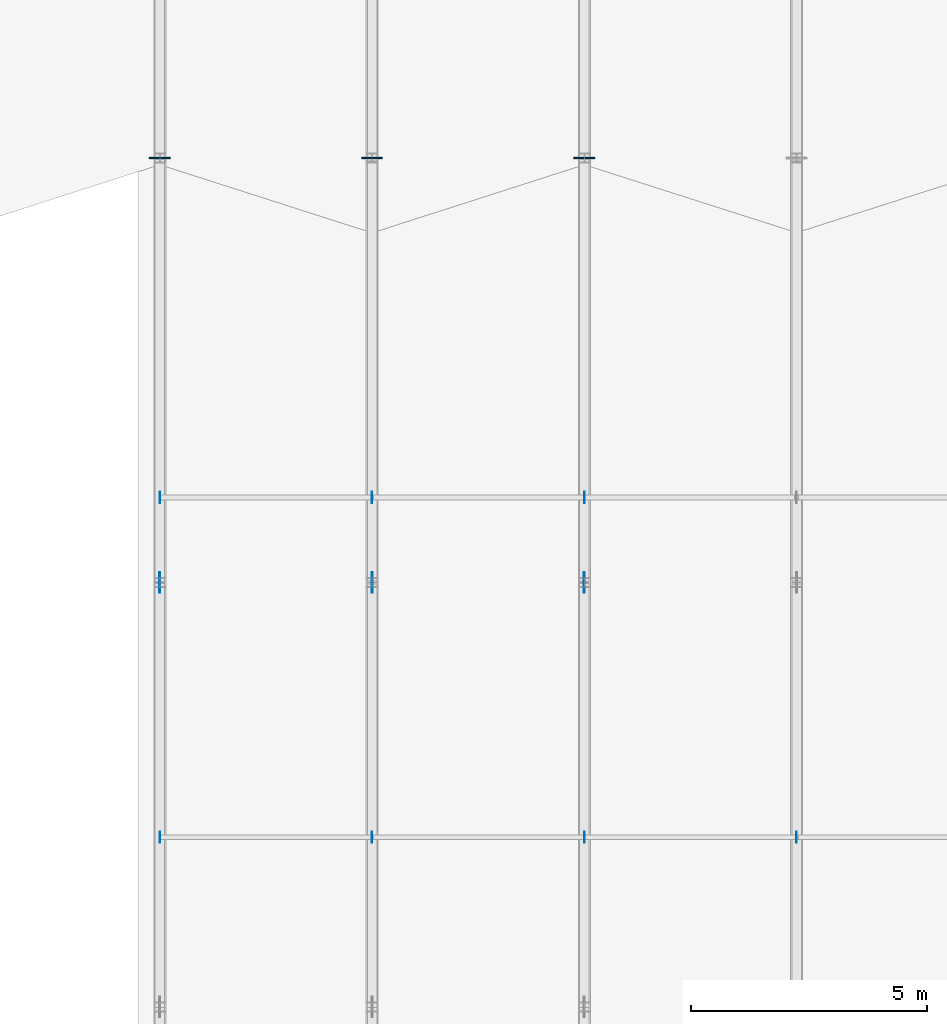
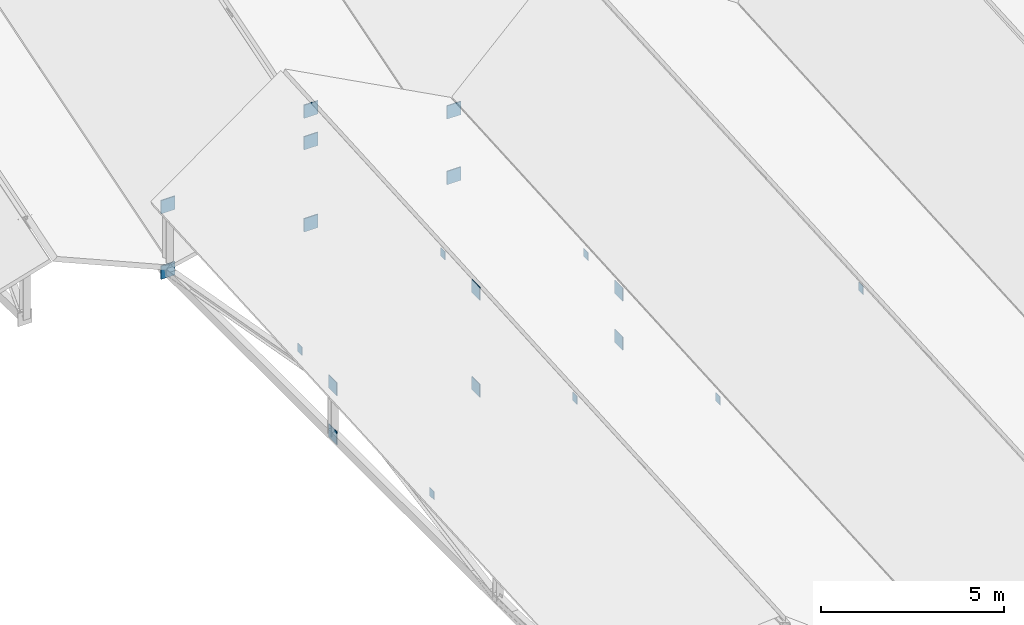
# One storey, part 120 of 142: 20 plates.
"""IFC4 building model written with IfcOpenShell, lengths in metres."""

from ifc_helpers import new_model, si_unit, direction, frame, origin, origin_2d, place, context, subcontext, project, spatial, rectangle, extrude, material, layer, layer_set, type_object, element, save


model = new_model("IFC4")

# Units and contexts
model_context = context("Model", 3, precision=1e-05, world=origin(), true_north=direction((0.0, 1.0)))
body_context = subcontext(model_context, "Body", "Model", "MODEL_VIEW")
ifc_project = project(units=[si_unit("LENGTHUNIT", "METRE"), si_unit("AREAUNIT", "SQUARE_METRE"), si_unit("VOLUMEUNIT", "CUBIC_METRE"), si_unit("PLANEANGLEUNIT", "RADIAN"), si_unit("MASSUNIT", "GRAM", prefix="KILO")], contexts=[model_context])

# Site, building, storey
site_placement = place(None, origin())
site = spatial("IfcSite", under=ifc_project, at=site_placement, CompositionType="ELEMENT")
building_placement = place(site_placement, origin())
building = spatial("IfcBuilding", under=site, at=building_placement, Name="Montelvaro Courts of Justice", CompositionType="ELEMENT")
storey_placement = place(building_placement, frame((0.0, 0.0, 14.39990234375)))
storey = spatial("IfcBuildingStorey", under=building, at=storey_placement, Name="L03", CompositionType="ELEMENT", Elevation=14.39990234375)

# Plates
ifc_material = material(Name="Steel S355", Category="steel")
ifc_layer_1 = layer(ifc_material, 0.011962890625)
ifc_layer_set_1 = layer_set([ifc_layer_1], Name="Steel S355")
plate_type_1 = type_object("IfcPlateType", Name="EndCapPlate_12", PredefinedType="USERDEFINED", material=ifc_layer_set_1)
for number, where, z_axis, x_axis, name in (
    (1, (54.0, 63.60009765625, 0.85986328125), (0.0, 0.0, 1.0), (1.0, 0.0, 0.0), "Purlin End Cap Plate CP-01 01-3L-A"),
    (2, (58.5, 63.60009765625, 2.4599609375), (0.0, 0.0, 1.0), (1.0, 0.0, 0.0), "Purlin End Cap Plate CP-01 01-3L-B"),
    (3, (63.0, 63.60009765625, 0.85986328125), (0.0, 0.0, 1.0), (1.0, 0.0, 0.0), "Purlin End Cap Plate CP-01 01-3R-B"),
    (4, (54.0, 70.800048828125, 1.30029296875), (0.0, 0.0, 1.0), (1.0, 0.0, 0.0), "Purlin End Cap Plate CP-01 01-4L-A"),
    (5, (58.5, 70.800048828125, 2.89990234375), (0.0, 0.0, 1.0), (1.0, 0.0, 0.0), "Purlin End Cap Plate CP-01 01-4L-B"),
    (6, (63.0, 70.800048828125, 1.30029296875), (0.0, 0.0, 1.0), (1.0, 0.0, 0.0), "Purlin End Cap Plate CP-01 01-4R-B"),
    (7, (67.5, 63.60009765625, 2.9599609375), (0.0, 0.0, 1.0), (1.0, 0.0, 0.0), "Purlin End Cap Plate CP-01 02-3L-B"),
):
    element("IfcPlate", number, at=place(storey_placement, frame(where, z_axis=z_axis, x_axis=x_axis)), inside=storey, type_object=plate_type_1, Name=name, ObjectType="GUSSET PLATE", PredefinedType="USERDEFINED", context=body_context, shape_type="SweptSolid", body=[
        extrude(rectangle(XDim=0.011962890625, YDim=0.239990234375, at=origin_2d()), origin(), (0.0, 0.0, 1.0), 0.280029296875),
    ])
ifc_layer_2 = layer(ifc_material, 0.035888671875)
ifc_layer_set_2 = layer_set([ifc_layer_2], Name="Steel S355")
plate_type_2 = type_object("IfcPlateType", Name="EndCapPlate_36", PredefinedType="USERDEFINED", material=ifc_layer_set_2)
for number, where, z_axis, x_axis, name in (
    (8, (54.0, 78.0, -0.519775390625), (0.0, 0.0, 1.0), (1.0, 0.0, 0.0), "Roof Truss End Cap Plate CP-02 ROOF-V1-VTR05-B0"),
    (9, (63.0, 78.0, -0.519775390625), (0.0, 0.0, 1.0), (1.0, 0.0, 0.0), "Roof Truss End Cap Plate CP-02 ROOF-V1-VTR06-B0"),
    (10, (58.5, 78.0, -0.519775390625), (0.0, 0.0, 1.0), (1.0, 0.0, 0.0), "Roof Truss End Cap Plate CP-02 ROOF-V1-RTR05-B0"),
    (11, (58.5, 78.0, 2.210205078125), (0.0, 0.0, 1.0), (1.0, 0.0, 0.0), "Roof Truss End Cap Plate CP-02 ROOF-V1-RTR05-T0"),
    (12, (54.0, 78.0, 1.66015625), (0.0, 0.0, 1.0), (1.0, 0.0, 0.0), "Roof Truss End Cap Plate CP-02 ROOF-PASSAGE-VTR01-T1"),
    (13, (63.0, 78.0, 1.66015625), (0.0, 0.0, 1.0), (1.0, 0.0, 0.0), "Roof Truss End Cap Plate CP-02 ROOF-PASSAGE-VTR02-T1"),
    (14, (58.5, 78.0, 3.260009765625), (0.0, 0.0, 1.0), (1.0, 0.0, 0.0), "Roof Truss End Cap Plate CP-02 ROOF-PASSAGE-RTR01-T1"),
):
    element("IfcPlate", number, at=place(storey_placement, frame(where, z_axis=z_axis, x_axis=x_axis)), inside=storey, type_object=plate_type_2, Name=name, ObjectType="GUSSET PLATE", PredefinedType="USERDEFINED", context=body_context, shape_type="SweptSolid", body=[
        extrude(rectangle(XDim=0.43994140625, YDim=0.035888671875, at=origin_2d()), origin(), (0.0, 0.0, 1.0), 0.43994140625),
    ])
ifc_layer_3 = layer(ifc_material, 0.02001953125)
ifc_layer_set_3 = layer_set([ifc_layer_3], Name="Steel S355")
plate_type_3 = type_object("IfcPlateType", Name="GussetPlate_20", PredefinedType="USERDEFINED", material=ifc_layer_set_3)
for number, where, z_axis, x_axis, name in (
    (15, (54.0, 69.0, -0.519775390625), (0.0, 0.0, 1.0), (1.0, 0.0, 0.0), "Roof Truss Gusset Plate GP-01 ROOF-PASSAGE-VTR01-3B"),
    (16, (54.0, 69.0, 1.110107421875), (0.0, 0.0, 1.0), (1.0, 0.0, 0.0), "Roof Truss Gusset Plate GP-01 ROOF-PASSAGE-VTR01-3T"),
    (17, (63.0, 69.0, -0.519775390625), (0.0, 0.0, 1.0), (1.0, 0.0, 0.0), "Roof Truss Gusset Plate GP-01 ROOF-PASSAGE-VTR02-3B"),
    (18, (63.0, 69.0, 1.110107421875), (0.0, 0.0, 1.0), (1.0, 0.0, 0.0), "Roof Truss Gusset Plate GP-01 ROOF-PASSAGE-VTR02-3T"),
    (19, (58.5, 69.0, -0.519775390625), (0.0, 0.0, 1.0), (1.0, 0.0, 0.0), "Roof Truss Gusset Plate GP-01 ROOF-PASSAGE-RTR01-3B"),
    (20, (58.5, 69.0, 2.710205078125), (0.0, 0.0, 1.0), (1.0, 0.0, 0.0), "Roof Truss Gusset Plate GP-01 ROOF-PASSAGE-RTR01-3T"),
):
    element("IfcPlate", number, at=place(storey_placement, frame(where, z_axis=z_axis, x_axis=x_axis)), inside=storey, type_object=plate_type_3, Name=name, ObjectType="GUSSET PLATE", PredefinedType="USERDEFINED", context=body_context, shape_type="SweptSolid", body=[
        extrude(rectangle(XDim=0.02001953125, YDim=0.43994140625, at=origin_2d()), origin(), (0.0, 0.0, 1.0), 0.43994140625),
    ])

save(model, "model.ifc")
